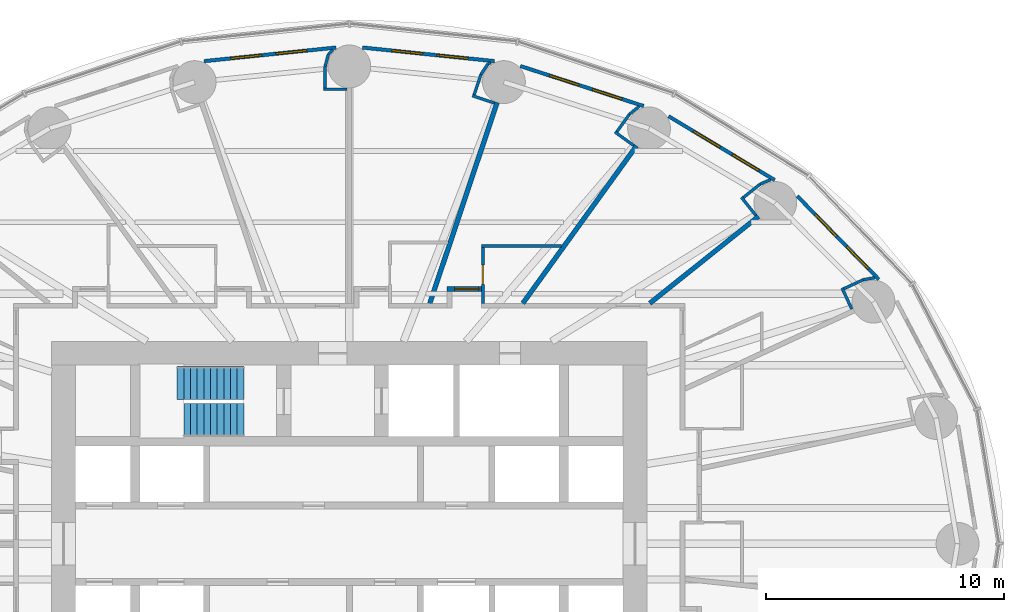
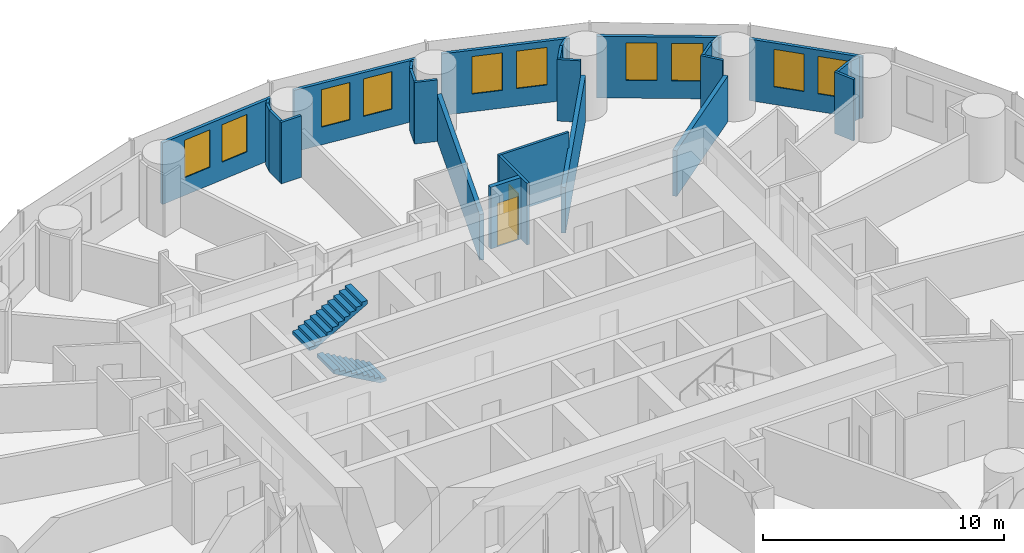
# One storey, part 12 of 14: 28 walls, 10 windows, 2 doors, 2 stair flights, 12 openings, 1 element without a shape of its own.
"""IFC4 building model written with IfcOpenShell, lengths in metres."""

from ifc_helpers import new_model, si_unit, direction, frame, frame_2d, origin, place, context, subcontext, project, spatial, polyline, rectangle, outline, extrude, material, layer, layer_set, type_object, element, fill, aggregate, save


model = new_model("IFC4")

# Units and contexts
model_context = context("Model", 3, precision=1e-05, world=origin(), true_north=direction((0.0, 1.0)))
body_context = subcontext(model_context, "Body", "Model", "MODEL_VIEW")
ifc_project = project(units=[si_unit("LENGTHUNIT", "METRE"), si_unit("AREAUNIT", "SQUARE_METRE"), si_unit("VOLUMEUNIT", "CUBIC_METRE"), si_unit("PLANEANGLEUNIT", "RADIAN"), si_unit("MASSUNIT", "GRAM", prefix="KILO")], contexts=[model_context])

# Site, building, storey
site_placement = place(None, origin())
site = spatial("IfcSite", under=ifc_project, at=site_placement, CompositionType="ELEMENT")
building_placement = place(site_placement, origin())
building = spatial("IfcBuilding", under=site, at=building_placement, Name="Hankou Lantern Tower", CompositionType="ELEMENT")
storey_placement = place(building_placement, frame((0.0, 0.0, 36.0)))
storey = spatial("IfcBuildingStorey", under=building, at=storey_placement, Name="L07", CompositionType="ELEMENT", Elevation=36.0)

# Wall, openings, windows
ifc_material_1 = material(Name="Aluminium spandrel panel on steel studs", Category="steel")
ifc_layer_1 = layer(ifc_material_1, 0.14990234375)
ifc_layer_set_1 = layer_set([ifc_layer_1], Name="Aluminium spandrel panel on steel studs")
wall_type_1 = type_object("IfcWallType", Name="EW1 INNER SKIN WALL 150", PredefinedType="ELEMENTEDWALL", material=ifc_layer_set_1)
wall_1_placement = place(storey_placement, frame((22.23876953125, 11.1083984375, 0.0), z_axis=(0.0, 0.0, 1.0), x_axis=(-0.699612594083, 0.714522370679, 0.0)))
wall_1 = element("IfcWall", 1, at=wall_1_placement, inside=storey, type_object=wall_type_1, Name="Inner skin R03-R04 L07", PredefinedType="ELEMENTEDWALL", context=body_context, shape_type="SweptSolid", body=[
    extrude(rectangle(XDim=4.89599609375, YDim=0.14990234375, at=frame_2d((2.447998046875, 0.0))), origin(), (0.0, 0.0, 1.0), 3.1201171875),
])
opening_1_placement = place(wall_1_placement, frame((0.619140625, 0.0, 0.89990234375)))
opening_1 = element("IfcOpeningElement", 2, at=opening_1_placement, cuts=wall_1, Name="Opening W9", PredefinedType="OPENING", context=body_context, shape_type="SweptSolid", body=[
    extrude(rectangle(XDim=1.300048828125, YDim=1.89990234375, at=frame_2d((0.64990234375, 0.949951171875))), frame((0.0, 0.0849609375, 0.0), z_axis=(0.0, -1.0, 0.0), x_axis=(1.0, 0.0, 0.0)), (0.0, 0.0, 1.0), 0.169921875),
])
opening_2_placement = place(wall_1_placement, frame((2.51904296875, 0.0, 0.89990234375)))
opening_2 = element("IfcOpeningElement", 3, at=opening_2_placement, cuts=wall_1, Name="Opening W9", PredefinedType="OPENING", context=body_context, shape_type="SweptSolid", body=[
    extrude(rectangle(XDim=1.300048828125, YDim=1.89990234375, at=frame_2d((0.64990234375, 0.949951171875))), frame((0.0, 0.0849609375, 0.0), z_axis=(0.0, -1.0, 0.0), x_axis=(1.0, 0.0, 0.0)), (0.0, 0.0, 1.0), 0.169921875),
])
ifc_material_2 = material(Name="Aluminium framed double glazed window", Category="aluminium")
window_type = type_object("IfcWindowType", Name="W9 GUEST ROOM WINDOW 1300X1900", PartitioningType="DOUBLE_PANEL_VERTICAL", PredefinedType="WINDOW", material=ifc_material_2)
window_1_placement = place(opening_1_placement, origin())
window_1 = element("IfcWindow", 4, at=window_1_placement, inside=storey, type_object=window_type, Name="Window R03.1 L07", OverallHeight=1.89990234375, OverallWidth=1.300048828125, PartitioningType="SINGLE_PANEL", PredefinedType="WINDOW", context=body_context, shape_type="SweptSolid", body=[
    extrude(rectangle(XDim=1.300048828125, YDim=1.89990234375, at=frame_2d((0.64990234375, 0.949951171875))), frame((0.0, 0.030029296875, 0.0), z_axis=(0.0, -1.0, 0.0), x_axis=(1.0, 0.0, 0.0)), (0.0, 0.0, 1.0), 0.06005859375),
])
fill(opening_1, window_1)
window_2_placement = place(opening_2_placement, origin())
window_2 = element("IfcWindow", 5, at=window_2_placement, inside=storey, type_object=window_type, Name="Window R03.2 L07", OverallHeight=1.89990234375, OverallWidth=1.300048828125, PartitioningType="SINGLE_PANEL", PredefinedType="WINDOW", context=body_context, shape_type="SweptSolid", body=[
    extrude(rectangle(XDim=1.300048828125, YDim=1.89990234375, at=frame_2d((0.64990234375, 0.949951171875))), frame((0.0, 0.030029296875, 0.0), z_axis=(0.0, -1.0, 0.0), x_axis=(1.0, 0.0, 0.0)), (0.0, 0.0, 1.0), 0.06005859375),
])
fill(opening_2, window_2)

wall_2_placement = place(storey_placement, frame((17.869384765625, 15.276611328125, 0.0), z_axis=(0.0, 0.0, 1.0), x_axis=(-0.856958191554, 0.515385931054, 0.0)))
wall_2 = element("IfcWall", 6, at=wall_2_placement, inside=storey, type_object=wall_type_1, Name="Inner skin R04-R05 L07", PredefinedType="ELEMENTEDWALL", context=body_context, shape_type="SweptSolid", body=[
    extrude(rectangle(XDim=5.201171875, YDim=0.14990234375, at=frame_2d((2.6005859375, 0.0))), origin(), (0.0, 0.0, 1.0), 3.1201171875),
])
opening_3_placement = place(wall_2_placement, frame((0.7763671875, 0.0, 0.89990234375)))
opening_3 = element("IfcOpeningElement", 7, at=opening_3_placement, cuts=wall_2, Name="Opening W9", PredefinedType="OPENING", context=body_context, shape_type="SweptSolid", body=[
    extrude(rectangle(XDim=1.300048828125, YDim=1.89990234375, at=frame_2d((0.64990234375, 0.949951171875))), frame((0.0, 0.0849609375, 0.0), z_axis=(0.0, -1.0, 0.0), x_axis=(1.0, 0.0, 0.0)), (0.0, 0.0, 1.0), 0.169921875),
])
opening_4_placement = place(wall_2_placement, frame((2.67626953125, 0.0, 0.89990234375)))
opening_4 = element("IfcOpeningElement", 8, at=opening_4_placement, cuts=wall_2, Name="Opening W9", PredefinedType="OPENING", context=body_context, shape_type="SweptSolid", body=[
    extrude(rectangle(XDim=1.300048828125, YDim=1.89990234375, at=frame_2d((0.64990234375, 0.949951171875))), frame((0.0, 0.0849609375, 0.0), z_axis=(0.0, -1.0, 0.0), x_axis=(1.0, 0.0, 0.0)), (0.0, 0.0, 1.0), 0.169921875),
])
window_3_placement = place(opening_3_placement, origin())
window_3 = element("IfcWindow", 9, at=window_3_placement, inside=storey, type_object=window_type, Name="Window R04.1 L07", OverallHeight=1.89990234375, OverallWidth=1.300048828125, PartitioningType="SINGLE_PANEL", PredefinedType="WINDOW", context=body_context, shape_type="SweptSolid", body=[
    extrude(rectangle(XDim=1.300048828125, YDim=1.89990234375, at=frame_2d((0.64990234375, 0.949951171875))), frame((0.0, 0.030029296875, 0.0), z_axis=(0.0, -1.0, 0.0), x_axis=(1.0, 0.0, 0.0)), (0.0, 0.0, 1.0), 0.06005859375),
])
fill(opening_3, window_3)
window_4_placement = place(opening_4_placement, origin())
window_4 = element("IfcWindow", 10, at=window_4_placement, inside=storey, type_object=window_type, Name="Window R04.2 L07", OverallHeight=1.89990234375, OverallWidth=1.300048828125, PartitioningType="SINGLE_PANEL", PredefinedType="WINDOW", context=body_context, shape_type="SweptSolid", body=[
    extrude(rectangle(XDim=1.300048828125, YDim=1.89990234375, at=frame_2d((0.64990234375, 0.949951171875))), frame((0.0, 0.030029296875, 0.0), z_axis=(0.0, -1.0, 0.0), x_axis=(1.0, 0.0, 0.0)), (0.0, 0.0, 1.0), 0.06005859375),
])
fill(opening_4, window_4)

wall_3_placement = place(storey_placement, frame((12.3662109375, 18.384033203125, 0.0), z_axis=(0.0, 0.0, 1.0), x_axis=(-0.951138486029, 0.308764603532, 0.0)))
wall_3 = element("IfcWall", 11, at=wall_3_placement, inside=storey, type_object=wall_type_1, Name="Inner skin R05-R06 L07", PredefinedType="ELEMENTEDWALL", context=body_context, shape_type="SweptSolid", body=[
    extrude(rectangle(XDim=5.444091796875, YDim=0.14990234375, at=frame_2d((2.72216796875, 0.0))), origin(), (0.0, 0.0, 1.0), 3.1201171875),
])
opening_5_placement = place(wall_3_placement, frame((0.959716796875, 0.0, 0.89990234375)))
opening_5 = element("IfcOpeningElement", 12, at=opening_5_placement, cuts=wall_3, Name="Opening W9", PredefinedType="OPENING", context=body_context, shape_type="SweptSolid", body=[
    extrude(rectangle(XDim=1.300048828125, YDim=1.89990234375, at=frame_2d((0.64990234375, 0.949951171875))), frame((0.0, 0.0849609375, 0.0), z_axis=(0.0, -1.0, 0.0), x_axis=(1.0, 0.0, 0.0)), (0.0, 0.0, 1.0), 0.169921875),
])
opening_6_placement = place(wall_3_placement, frame((2.85986328125, 0.0, 0.89990234375)))
opening_6 = element("IfcOpeningElement", 13, at=opening_6_placement, cuts=wall_3, Name="Opening W9", PredefinedType="OPENING", context=body_context, shape_type="SweptSolid", body=[
    extrude(rectangle(XDim=1.300048828125, YDim=1.89990234375, at=frame_2d((0.64990234375, 0.949951171875))), frame((0.0, 0.0849609375, 0.0), z_axis=(0.0, -1.0, 0.0), x_axis=(1.0, 0.0, 0.0)), (0.0, 0.0, 1.0), 0.169921875),
])
window_5_placement = place(opening_5_placement, origin())
window_5 = element("IfcWindow", 14, at=window_5_placement, inside=storey, type_object=window_type, Name="Window R05.1 L07", OverallHeight=1.89990234375, OverallWidth=1.300048828125, PartitioningType="SINGLE_PANEL", PredefinedType="WINDOW", context=body_context, shape_type="SweptSolid", body=[
    extrude(rectangle(XDim=1.300048828125, YDim=1.89990234375, at=frame_2d((0.64990234375, 0.949951171875))), frame((0.0, 0.030029296875, 0.0), z_axis=(0.0, -1.0, 0.0), x_axis=(1.0, 0.0, 0.0)), (0.0, 0.0, 1.0), 0.06005859375),
])
fill(opening_5, window_5)
window_6_placement = place(opening_6_placement, origin())
window_6 = element("IfcWindow", 15, at=window_6_placement, inside=storey, type_object=window_type, Name="Window R05.2 L07", OverallHeight=1.89990234375, OverallWidth=1.300048828125, PartitioningType="SINGLE_PANEL", PredefinedType="WINDOW", context=body_context, shape_type="SweptSolid", body=[
    extrude(rectangle(XDim=1.300048828125, YDim=1.89990234375, at=frame_2d((0.64990234375, 0.949951171875))), frame((0.0, 0.030029296875, 0.0), z_axis=(0.0, -1.0, 0.0), x_axis=(1.0, 0.0, 0.0)), (0.0, 0.0, 1.0), 0.06005859375),
])
fill(opening_6, window_6)

wall_4_placement = place(storey_placement, frame((6.09765625, 20.27099609375, 0.0), z_axis=(0.0, 0.0, 1.0), x_axis=(-0.994723735084, 0.102589915983, 0.0)))
wall_4 = element("IfcWall", 16, at=wall_4_placement, inside=storey, type_object=wall_type_1, Name="Inner skin R06-R07 L07", PredefinedType="ELEMENTEDWALL", context=body_context, shape_type="SweptSolid", body=[
    extrude(rectangle(XDim=5.575927734375, YDim=0.14990234375, at=frame_2d((2.7880859375, 0.0))), origin(), (0.0, 0.0, 1.0), 3.1201171875),
])
opening_7_placement = place(wall_4_placement, frame((1.128662109375, 0.0, 0.89990234375)))
opening_7 = element("IfcOpeningElement", 17, at=opening_7_placement, cuts=wall_4, Name="Opening W9", PredefinedType="OPENING", context=body_context, shape_type="SweptSolid", body=[
    extrude(rectangle(XDim=1.300048828125, YDim=1.89990234375, at=frame_2d((0.64990234375, 0.949951171875))), frame((0.0, 0.0849609375, 0.0), z_axis=(0.0, -1.0, 0.0), x_axis=(1.0, 0.0, 0.0)), (0.0, 0.0, 1.0), 0.169921875),
])
opening_8_placement = place(wall_4_placement, frame((3.02880859375, 0.0, 0.89990234375)))
opening_8 = element("IfcOpeningElement", 18, at=opening_8_placement, cuts=wall_4, Name="Opening W9", PredefinedType="OPENING", context=body_context, shape_type="SweptSolid", body=[
    extrude(rectangle(XDim=1.300048828125, YDim=1.89990234375, at=frame_2d((0.64990234375, 0.949951171875))), frame((0.0, 0.0849609375, 0.0), z_axis=(0.0, -1.0, 0.0), x_axis=(1.0, 0.0, 0.0)), (0.0, 0.0, 1.0), 0.169921875),
])
window_7_placement = place(opening_7_placement, origin())
window_7 = element("IfcWindow", 19, at=window_7_placement, inside=storey, type_object=window_type, Name="Window R06.1 L07", OverallHeight=1.89990234375, OverallWidth=1.300048828125, PartitioningType="SINGLE_PANEL", PredefinedType="WINDOW", context=body_context, shape_type="SweptSolid", body=[
    extrude(rectangle(XDim=1.300048828125, YDim=1.89990234375, at=frame_2d((0.64990234375, 0.949951171875))), frame((0.0, 0.030029296875, 0.0), z_axis=(0.0, -1.0, 0.0), x_axis=(1.0, 0.0, 0.0)), (0.0, 0.0, 1.0), 0.06005859375),
])
fill(opening_7, window_7)
window_8_placement = place(opening_8_placement, origin())
window_8 = element("IfcWindow", 20, at=window_8_placement, inside=storey, type_object=window_type, Name="Window R06.2 L07", OverallHeight=1.89990234375, OverallWidth=1.300048828125, PartitioningType="SINGLE_PANEL", PredefinedType="WINDOW", context=body_context, shape_type="SweptSolid", body=[
    extrude(rectangle(XDim=1.300048828125, YDim=1.89990234375, at=frame_2d((0.64990234375, 0.949951171875))), frame((0.0, 0.030029296875, 0.0), z_axis=(0.0, -1.0, 0.0), x_axis=(1.0, 0.0, 0.0)), (0.0, 0.0, 1.0), 0.06005859375),
])
fill(opening_8, window_8)

wall_5_placement = place(storey_placement, frame((-0.55126953125, 20.843017578125, 0.0), z_axis=(0.0, 0.0, 1.0), x_axis=(-0.994723735084, -0.102589915983, 0.0)))
wall_5 = element("IfcWall", 21, at=wall_5_placement, inside=storey, type_object=wall_type_1, Name="Inner skin R07-R08 L07", PredefinedType="ELEMENTEDWALL", context=body_context, shape_type="SweptSolid", body=[
    extrude(rectangle(XDim=5.575927734375, YDim=0.14990234375, at=frame_2d((2.7880859375, 0.0))), origin(), (0.0, 0.0, 1.0), 3.1201171875),
])
opening_9_placement = place(wall_5_placement, frame((1.246826171875, 0.0, 0.89990234375)))
opening_9 = element("IfcOpeningElement", 22, at=opening_9_placement, cuts=wall_5, Name="Opening W9", PredefinedType="OPENING", context=body_context, shape_type="SweptSolid", body=[
    extrude(rectangle(XDim=1.300048828125, YDim=1.89990234375, at=frame_2d((0.64990234375, 0.949951171875))), frame((0.0, 0.0849609375, 0.0), z_axis=(0.0, -1.0, 0.0), x_axis=(1.0, 0.0, 0.0)), (0.0, 0.0, 1.0), 0.169921875),
])
opening_10_placement = place(wall_5_placement, frame((3.146728515625, 0.0, 0.89990234375)))
opening_10 = element("IfcOpeningElement", 23, at=opening_10_placement, cuts=wall_5, Name="Opening W9", PredefinedType="OPENING", context=body_context, shape_type="SweptSolid", body=[
    extrude(rectangle(XDim=1.300048828125, YDim=1.89990234375, at=frame_2d((0.64990234375, 0.949951171875))), frame((0.0, 0.0849609375, 0.0), z_axis=(0.0, -1.0, 0.0), x_axis=(1.0, 0.0, 0.0)), (0.0, 0.0, 1.0), 0.169921875),
])
window_9_placement = place(opening_9_placement, origin())
window_9 = element("IfcWindow", 24, at=window_9_placement, inside=storey, type_object=window_type, Name="Window R07.1 L07", OverallHeight=1.89990234375, OverallWidth=1.300048828125, PartitioningType="SINGLE_PANEL", PredefinedType="WINDOW", context=body_context, shape_type="SweptSolid", body=[
    extrude(rectangle(XDim=1.300048828125, YDim=1.89990234375, at=frame_2d((0.64990234375, 0.949951171875))), frame((0.0, 0.030029296875, 0.0), z_axis=(0.0, -1.0, 0.0), x_axis=(1.0, 0.0, 0.0)), (0.0, 0.0, 1.0), 0.06005859375),
])
fill(opening_9, window_9)
window_10_placement = place(opening_10_placement, origin())
window_10 = element("IfcWindow", 25, at=window_10_placement, inside=storey, type_object=window_type, Name="Window R07.2 L07", OverallHeight=1.89990234375, OverallWidth=1.300048828125, PartitioningType="SINGLE_PANEL", PredefinedType="WINDOW", context=body_context, shape_type="SweptSolid", body=[
    extrude(rectangle(XDim=1.300048828125, YDim=1.89990234375, at=frame_2d((0.64990234375, 0.949951171875))), frame((0.0, 0.030029296875, 0.0), z_axis=(0.0, -1.0, 0.0), x_axis=(1.0, 0.0, 0.0)), (0.0, 0.0, 1.0), 0.06005859375),
])
fill(opening_10, window_10)

# Wall
ifc_material_3 = material(Name="Masonry lightweight concrete block", Category="masonry")
ifc_layer_2 = layer(ifc_material_3, 0.199951171875)
ifc_layer_set_2 = layer_set([ifc_layer_2], Name="Masonry lightweight concrete block")
wall_type_2 = type_object("IfcWallType", Name="IW1 GUEST ROOM PARTY WALL 200", PredefinedType="PARTITIONING", material=ifc_layer_set_2)
wall_6_placement = place(storey_placement, frame((3.3828125, 10.10009765625, 0.0), z_axis=(0.0, 0.0, 1.0), x_axis=(0.317593727596, 0.948226884344, 0.0)))
element("IfcWall", 26, at=wall_6_placement, inside=storey, type_object=wall_type_2, Name="Party wall R06", PredefinedType="PARTITIONING", context=body_context, shape_type="SweptSolid", body=[
    extrude(rectangle(XDim=8.898681640625, YDim=0.199951171875, at=frame_2d((4.44921875, 0.0))), origin(), (0.0, 0.0, 1.0), 2.320068359375),
])

# Wall, opening, door
ifc_material_4 = material(Name="Masonry lightweight concrete block", Category="masonry")
ifc_layer_3 = layer(ifc_material_4, 0.199951171875)
ifc_layer_set_3 = layer_set([ifc_layer_3], Name="Masonry lightweight concrete block")
wall_type_3 = type_object("IfcWallType", Name="IW2 CORRIDOR WALL 200", PredefinedType="PARTITIONING", material=ifc_layer_set_3)
wall_7_placement = place(storey_placement, frame((4.109130859375, 10.699951171875, 0.0), z_axis=(0.0, 0.0, 1.0), x_axis=(1.0, 0.0, 0.0)))
wall_7 = element("IfcWall", 27, at=wall_7_placement, inside=storey, type_object=wall_type_3, Name="Corridor recess wall 0707 back", PredefinedType="PARTITIONING", context=body_context, shape_type="SweptSolid", body=[
    extrude(rectangle(XDim=1.43994140625, YDim=0.199951171875, at=frame_2d((0.719970703125, 0.0))), origin(), (0.0, 0.0, 1.0), 3.1201171875),
])
opening_11_placement = place(wall_7_placement, frame((0.320068359375, 0.0, 0.0)))
opening_11 = element("IfcOpeningElement", 28, at=opening_11_placement, cuts=wall_7, Name="Opening D1", PredefinedType="OPENING", context=body_context, shape_type="SweptSolid", body=[
    extrude(rectangle(XDim=1.0, YDim=2.199951171875, at=frame_2d((0.5, 1.10009765625))), frame((0.0, 0.10986328125, 0.0), z_axis=(0.0, -1.0, 0.0), x_axis=(1.0, 0.0, 0.0)), (0.0, 0.0, 1.0), 0.219970703125),
])
ifc_material_5 = material(Name="Steel door leaf", Category="steel")
door_type_1 = type_object("IfcDoorType", Name="D1 GUEST ROOM DOOR 1000X2200", OperationType="SINGLE_SWING_LEFT", PredefinedType="DOOR", material=ifc_material_5)
door_1_placement = place(opening_11_placement, origin())
door_1 = element("IfcDoor", 29, at=door_1_placement, inside=storey, type_object=door_type_1, Name="Guest room door 0707", OperationType="SINGLE_SWING_RIGHT", OverallHeight=2.199951171875, OverallWidth=1.0, PredefinedType="DOOR", context=body_context, shape_type="SweptSolid", body=[
    extrude(rectangle(XDim=1.0, YDim=2.199951171875, at=frame_2d((0.5, 1.10009765625))), frame((0.0, 0.02490234375, 0.0), z_axis=(0.0, -1.0, 0.0), x_axis=(1.0, 0.0, 0.0)), (0.0, 0.0, 1.0), 0.050048828125),
])
fill(opening_11, door_1)

# Wall
ifc_material_6 = material(Name="Masonry lightweight concrete block", Category="masonry")
ifc_layer_4 = layer(ifc_material_6, 0.1201171875)
ifc_layer_set_4 = layer_set([ifc_layer_4], Name="Masonry lightweight concrete block")
wall_type_4 = type_object("IfcWallType", Name="IW3 BATHROOM WALL 120", PredefinedType="PARTITIONING", material=ifc_layer_set_4)
wall_8_placement = place(storey_placement, frame((8.921142578125, 12.5, 0.0), z_axis=(0.0, 0.0, 1.0), x_axis=(-1.0, 0.0, 0.0)))
element("IfcWall", 30, at=wall_8_placement, inside=storey, type_object=wall_type_4, Name="Box wall 0707 1", PredefinedType="PARTITIONING", context=body_context, shape_type="SweptSolid", body=[
    extrude(rectangle(XDim=3.3720703125, YDim=0.1201171875, at=frame_2d((1.68603515625, 0.0))), origin(), (0.0, 0.0, 1.0), 3.1201171875),
])

# Wall, opening, door
wall_9_placement = place(storey_placement, frame((5.609130859375, 10.10009765625, 0.0), z_axis=(0.0, 0.0, 1.0), x_axis=(0.0, 1.0, 0.0)))
wall_9 = element("IfcWall", 31, at=wall_9_placement, inside=storey, type_object=wall_type_4, Name="Box wall 0707 1", PredefinedType="PARTITIONING", context=body_context, shape_type="SweptSolid", body=[
    extrude(rectangle(XDim=2.33984375, YDim=0.1201171875, at=frame_2d((1.169921875, 0.0))), origin(), (0.0, 0.0, 1.0), 3.1201171875),
])
opening_12_placement = place(wall_9_placement, frame((0.800048828125, 0.0, 0.0)))
opening_12 = element("IfcOpeningElement", 32, at=opening_12_placement, cuts=wall_9, Name="Opening D3", PredefinedType="OPENING", context=body_context, shape_type="SweptSolid", body=[
    extrude(rectangle(XDim=0.800048828125, YDim=2.10009765625, at=frame_2d((0.39990234375, 1.050048828125))), frame((0.0, 0.070068359375, 0.0), z_axis=(0.0, -1.0, 0.0), x_axis=(1.0, 0.0, 0.0)), (0.0, 0.0, 1.0), 0.14013671875),
])
ifc_material_7 = material(Name="Timber door leaf", Category="wood")
door_type_2 = type_object("IfcDoorType", Name="D3 BATHROOM DOOR 800X2100", OperationType="SINGLE_SWING_LEFT", PredefinedType="DOOR", material=ifc_material_7)
door_2_placement = place(opening_12_placement, origin())
door_2 = element("IfcDoor", 33, at=door_2_placement, inside=storey, type_object=door_type_2, Name="En-suite bathroom 0707 door", OperationType="SINGLE_SWING_LEFT", OverallHeight=2.10009765625, OverallWidth=0.800048828125, PredefinedType="DOOR", context=body_context, shape_type="SweptSolid", body=[
    extrude(rectangle(XDim=0.800048828125, YDim=2.10009765625, at=frame_2d((0.39990234375, 1.050048828125))), frame((0.0, 0.02490234375, 0.0), z_axis=(0.0, -1.0, 0.0), x_axis=(1.0, 0.0, 0.0)), (0.0, 0.0, 1.0), 0.050048828125),
])
fill(opening_12, door_2)

# Walls
ifc_material_8 = material(Name="Masonry lightweight concrete block", Category="masonry")
ifc_layer_5 = layer(ifc_material_8, 0.1201171875)
ifc_layer_set_5 = layer_set([ifc_layer_5], Name="Masonry lightweight concrete block")
wall_type_5 = type_object("IfcWallType", Name="IW4 PARTITION 120", PredefinedType="PARTITIONING", material=ifc_layer_set_5)
wall_10_placement = place(storey_placement, frame((21.105712890625, 9.8583984375, 0.0), z_axis=(0.0, 0.0, 1.0), x_axis=(-0.419344098106, 0.907827366509, 0.0)))
element("IfcWall", 34, at=wall_10_placement, inside=storey, type_object=wall_type_5, Name="Column casing R03 return", PredefinedType="PARTITIONING", context=body_context, shape_type="SweptSolid", body=[
    extrude(rectangle(XDim=0.974609375, YDim=0.1201171875, at=frame_2d((0.4873046875, 0.0))), origin(), (0.0, 0.0, 1.0), 3.1201171875),
])
wall_11_placement = place(storey_placement, frame((20.776611328125, 10.7138671875, 0.0), z_axis=(0.0, 0.0, 1.0), x_axis=(0.907832324198, 0.419333365166, 0.0)))
element("IfcWall", 35, at=wall_11_placement, inside=storey, type_object=wall_type_5, Name="Column casing R03", PredefinedType="PARTITIONING", context=body_context, shape_type="SweptSolid", body=[
    extrude(rectangle(XDim=0.900146484375, YDim=0.1201171875, at=frame_2d((0.4501953125, 0.0))), origin(), (0.0, 0.0, 1.0), 3.1201171875),
])
wall_12_placement = place(storey_placement, frame((21.59375, 11.09130859375, 0.0), z_axis=(0.0, 0.0, 1.0), x_axis=(0.985483306792, 0.169772353566, 0.0)))
element("IfcWall", 36, at=wall_12_placement, inside=storey, type_object=wall_type_5, Name="Column casing R03", PredefinedType="PARTITIONING", context=body_context, shape_type="SweptSolid", body=[
    extrude(rectangle(XDim=0.486083984375, YDim=0.1201171875, at=frame_2d((0.2431640625, 0.0))), origin(), (0.0, 0.0, 1.0), 3.1201171875),
])
wall_13_placement = place(storey_placement, frame((17.07958984375, 13.791748046875, 0.0), z_axis=(0.0, 0.0, 1.0), x_axis=(-0.624756144097, 0.780819928289, 0.0)))
element("IfcWall", 37, at=wall_13_placement, inside=storey, type_object=wall_type_5, Name="Column casing R04 return", PredefinedType="PARTITIONING", context=body_context, shape_type="SweptSolid", body=[
    extrude(rectangle(XDim=0.974609375, YDim=0.1201171875, at=frame_2d((0.4873046875, 0.0))), origin(), (0.0, 0.0, 1.0), 3.1201171875),
])
wall_14_placement = place(storey_placement, frame((16.55517578125, 14.54345703125, 0.0), z_axis=(0.0, 0.0, 1.0), x_axis=(0.780789399477, 0.62479429708, 0.0)))
element("IfcWall", 38, at=wall_14_placement, inside=storey, type_object=wall_type_5, Name="Column casing R04", PredefinedType="PARTITIONING", context=body_context, shape_type="SweptSolid", body=[
    extrude(rectangle(XDim=0.89990234375, YDim=0.1201171875, at=frame_2d((0.449951171875, 0.0))), origin(), (0.0, 0.0, 1.0), 3.1201171875),
])
wall_15_placement = place(storey_placement, frame((17.2578125, 15.105712890625, 0.0), z_axis=(0.0, 0.0, 1.0), x_axis=(0.916098562583, 0.400953143937, 0.0)))
element("IfcWall", 39, at=wall_15_placement, inside=storey, type_object=wall_type_5, Name="Column casing R04", PredefinedType="PARTITIONING", context=body_context, shape_type="SweptSolid", body=[
    extrude(rectangle(XDim=0.476806640625, YDim=0.1201171875, at=frame_2d((0.23828125, 0.0))), origin(), (0.0, 0.0, 1.0), 3.1201171875),
])
wall_16_placement = place(storey_placement, frame((11.947998046875, 16.7265625, 0.0), z_axis=(0.0, 0.0, 1.0), x_axis=(-0.810897160646, 0.585188683123, 0.0)))
element("IfcWall", 40, at=wall_16_placement, inside=storey, type_object=wall_type_5, Name="Column casing R05 return", PredefinedType="PARTITIONING", context=body_context, shape_type="SweptSolid", body=[
    extrude(rectangle(XDim=0.974609375, YDim=0.1201171875, at=frame_2d((0.4873046875, 0.0))), origin(), (0.0, 0.0, 1.0), 3.1201171875),
])
wall_17_placement = place(storey_placement, frame((11.241455078125, 17.310302734375, 0.0), z_axis=(0.0, 0.0, 1.0), x_axis=(0.585054732094, 0.810993810367, 0.0)))
element("IfcWall", 41, at=wall_17_placement, inside=storey, type_object=wall_type_5, Name="Column casing R05", PredefinedType="PARTITIONING", context=body_context, shape_type="SweptSolid", body=[
    extrude(rectangle(XDim=0.900146484375, YDim=0.1201171875, at=frame_2d((0.4501953125, 0.0))), origin(), (0.0, 0.0, 1.0), 3.1201171875),
])
wall_18_placement = place(storey_placement, frame((11.76806640625, 18.040283203125, 0.0), z_axis=(0.0, 0.0, 1.0), x_axis=(0.775268927517, 0.631631292787, 0.0)))
element("IfcWall", 42, at=wall_18_placement, inside=storey, type_object=wall_type_5, Name="Column casing R05", PredefinedType="PARTITIONING", context=body_context, shape_type="SweptSolid", body=[
    extrude(rectangle(XDim=0.521728515625, YDim=0.1201171875, at=frame_2d((0.2607421875, 0.0))), origin(), (0.0, 0.0, 1.0), 3.1201171875),
])
wall_19_placement = place(storey_placement, frame((6.09521484375, 18.512939453125, 0.0), z_axis=(0.0, 0.0, 1.0), x_axis=(-0.948281677008, 0.317430088446, 0.0)))
element("IfcWall", 43, at=wall_19_placement, inside=storey, type_object=wall_type_5, Name="Column casing R06 return", PredefinedType="PARTITIONING", context=body_context, shape_type="SweptSolid", body=[
    extrude(rectangle(XDim=0.974365234375, YDim=0.1201171875, at=frame_2d((0.4873046875, 0.0))), origin(), (0.0, 0.0, 1.0), 3.1201171875),
])
wall_20_placement = place(storey_placement, frame((5.2470703125, 18.860107421875, 0.0), z_axis=(0.0, 0.0, 1.0), x_axis=(0.317610704489, 0.94822119803, 0.0)))
element("IfcWall", 44, at=wall_20_placement, inside=storey, type_object=wall_type_5, Name="Column casing R06", PredefinedType="PARTITIONING", context=body_context, shape_type="SweptSolid", body=[
    extrude(rectangle(XDim=0.900146484375, YDim=0.1201171875, at=frame_2d((0.4501953125, 0.0))), origin(), (0.0, 0.0, 1.0), 3.1201171875),
])
wall_21_placement = place(storey_placement, frame((5.532958984375, 19.713623046875, 0.0), z_axis=(0.0, 0.0, 1.0), x_axis=(0.552014331743, 0.833834622422, 0.0)))
element("IfcWall", 45, at=wall_21_placement, inside=storey, type_object=wall_type_5, Name="Column casing R06", PredefinedType="PARTITIONING", context=body_context, shape_type="SweptSolid", body=[
    extrude(rectangle(XDim=0.52490234375, YDim=0.1201171875, at=frame_2d((0.262451171875, 0.0))), origin(), (0.0, 0.0, 1.0), 3.1201171875),
])
wall_22_placement = place(storey_placement, frame((5.82275390625, 20.1513671875, 0.0), z_axis=(0.0, 0.0, 1.0), x_axis=(0.894784104941, 0.446499054362, 0.0)))
element("IfcWall", 46, at=wall_22_placement, inside=storey, type_object=wall_type_5, Name="Column casing R06", PredefinedType="PARTITIONING", context=body_context, shape_type="SweptSolid", body=[
    extrude(rectangle(XDim=0.13671875, YDim=0.1201171875, at=frame_2d((0.068359375, 0.0))), origin(), (0.0, 0.0, 1.0), 3.1201171875),
])
wall_23_placement = place(storey_placement, frame((-0.10009765625, 19.090087890625, 0.0), z_axis=(0.0, 0.0, 1.0), x_axis=(-1.0, 0.0, 0.0)))
element("IfcWall", 47, at=wall_23_placement, inside=storey, type_object=wall_type_5, Name="Column casing R07 return", PredefinedType="PARTITIONING", context=body_context, shape_type="SweptSolid", body=[
    extrude(rectangle(XDim=0.974365234375, YDim=0.1201171875, at=frame_2d((0.4873046875, 0.0))), origin(), (0.0, 0.0, 1.0), 3.1201171875),
])
wall_24_placement = place(storey_placement, frame((-1.0146484375, 19.14990234375, 0.0), z_axis=(0.0, 0.0, 1.0), x_axis=(0.0, 1.0, 0.0)))
element("IfcWall", 48, at=wall_24_placement, inside=storey, type_object=wall_type_5, Name="Column casing R07", PredefinedType="PARTITIONING", context=body_context, shape_type="SweptSolid", body=[
    extrude(rectangle(XDim=0.900146484375, YDim=0.1201171875, at=frame_2d((0.4501953125, 0.0))), origin(), (0.0, 0.0, 1.0), 3.1201171875),
])
wall_25_placement = place(storey_placement, frame((-1.0146484375, 20.050048828125, 0.0), z_axis=(0.0, 0.0, 1.0), x_axis=(0.258906465625, 0.96590239779, 0.0)))
element("IfcWall", 49, at=wall_25_placement, inside=storey, type_object=wall_type_5, Name="Column casing R07", PredefinedType="PARTITIONING", context=body_context, shape_type="SweptSolid", body=[
    extrude(rectangle(XDim=0.525146484375, YDim=0.1201171875, at=frame_2d((0.2626953125, 0.0))), origin(), (0.0, 0.0, 1.0), 3.1201171875),
])
wall_26_placement = place(storey_placement, frame((-0.878662109375, 20.557373046875, 0.0), z_axis=(0.0, 0.0, 1.0), x_axis=(0.707106781187, 0.707106781187, 0.0)))
element("IfcWall", 50, at=wall_26_placement, inside=storey, type_object=wall_type_5, Name="Column casing R07", PredefinedType="PARTITIONING", context=body_context, shape_type="SweptSolid", body=[
    extrude(rectangle(XDim=0.279052734375, YDim=0.1201171875, at=frame_2d((0.1396484375, 0.0))), origin(), (0.0, 0.0, 1.0), 3.1201171875),
])
ifc_material_9 = material(Name="Masonry lightweight concrete block", Category="masonry")
ifc_layer_6 = layer(ifc_material_9, 0.199951171875)
ifc_layer_set_6 = layer_set([ifc_layer_6], Name="Masonry lightweight concrete block")
wall_type_6 = type_object("IfcWallType", Name="IW8 PARTITION 200", PredefinedType="PARTITIONING", material=ifc_layer_set_6)
wall_27_placement = place(storey_placement, frame((12.625, 10.10009765625, 0.0), z_axis=(0.0, 0.0, 1.0), x_axis=(0.780872884676, 0.624689953479, 0.0)))
element("IfcWall", 51, at=wall_27_placement, inside=storey, type_object=wall_type_6, Name="Partition R04", PredefinedType="PARTITIONING", context=body_context, shape_type="SweptSolid", body=[
    extrude(rectangle(XDim=5.8447265625, YDim=0.199951171875, at=frame_2d((2.92236328125, 0.0))), origin(), (0.0, 0.0, 1.0), 2.320068359375),
])
wall_28_placement = place(storey_placement, frame((7.2890625, 10.10009765625, 0.0), z_axis=(0.0, 0.0, 1.0), x_axis=(0.585216319319, 0.810877216108, 0.0)))
element("IfcWall", 52, at=wall_28_placement, inside=storey, type_object=wall_type_6, Name="Partition R05", PredefinedType="PARTITIONING", context=body_context, shape_type="SweptSolid", body=[
    extrude(rectangle(XDim=8.15966796875, YDim=0.199951171875, at=frame_2d((4.079833984375, 0.0))), origin(), (0.0, 0.0, 1.0), 2.320068359375),
])

# Stair, stair flights
ifc_material_10 = material(Name="Concrete C40", Category="concrete")
stair_type = type_object("IfcStairType", Name="ST33 CORE STAIR 3300 RISE", PredefinedType="HALF_TURN_STAIR", material=ifc_material_10)
stair_placement = place(storey_placement, origin())
stair = element("IfcStair", 53, at=stair_placement, inside=storey, type_object=stair_type, Name="Stair STA L07", PredefinedType="HALF_TURN_STAIR")
ifc_material_11 = material(Name="Concrete C40", Category="concrete")
stair_flight_type_1 = type_object("IfcStairFlightType", Name="CF10 CORE STAIR FLIGHT 1400 X 10 RISERS", PredefinedType="STRAIGHT", material=ifc_material_11)
stair_flight_1_placement = place(storey_placement, frame((-4.429931640625, 5.199951171875, 0.0), z_axis=(0.0, 0.0, 1.0), x_axis=(-1.0, 0.0, 0.0)))
stair_flight_1 = element("IfcStairFlight", 54, at=stair_flight_1_placement, type_object=stair_flight_type_1, Name="STA flight 1", NumberOfRisers=10, NumberOfTreads=9, PredefinedType="STRAIGHT", RiserHeight=0.157142857, TreadLength=0.28, context=body_context, shape_type="SweptSolid", body=[
    extrude(outline(polyline([(0.0, 0.0), (0.0, 0.1572265625), (0.280029296875, 0.1572265625), (0.280029296875, 0.314208984375), (0.56005859375, 0.314208984375), (0.56005859375, 0.471435546875), (0.840087890625, 0.471435546875), (0.840087890625, 0.628662109375), (1.1201171875, 0.628662109375), (1.1201171875, 0.78564453125), (1.39990234375, 0.78564453125), (1.39990234375, 0.94287109375), (1.679931640625, 0.94287109375), (1.679931640625, 1.10009765625), (1.9599609375, 1.10009765625), (1.9599609375, 1.257080078125), (2.239990234375, 1.257080078125), (2.239990234375, 1.414306640625), (2.52001953125, 1.414306640625), (2.52001953125, 1.571533203125), (2.52001953125, 1.242431640625), (0.306396484375, 0.0), (0.0, 0.0)])), frame((0.0, 0.699951171875, 0.0), z_axis=(0.0, -1.0, 0.0), x_axis=(1.0, 0.0, 0.0)), (0.0, 0.0, 1.0), 1.39990234375),
])
ifc_material_12 = material(Name="Concrete C40", Category="concrete")
stair_flight_type_2 = type_object("IfcStairFlightType", Name="CF11 CORE STAIR FLIGHT 1400 X 11 RISERS", PredefinedType="STRAIGHT", material=ifc_material_12)
stair_flight_2_placement = place(storey_placement, frame((-7.22998046875, 6.75, 1.571533203125), z_axis=(0.0, 0.0, 1.0), x_axis=(1.0, 0.0, 0.0)))
stair_flight_2 = element("IfcStairFlight", 55, at=stair_flight_2_placement, type_object=stair_flight_type_2, Name="STA flight 2", NumberOfRisers=11, NumberOfTreads=10, PredefinedType="STRAIGHT", RiserHeight=0.157142857, TreadLength=0.28, context=body_context, shape_type="SweptSolid", body=[
    extrude(outline(polyline([(0.0, 0.0), (0.0, 0.1572265625), (0.280029296875, 0.1572265625), (0.280029296875, 0.314208984375), (0.56005859375, 0.314208984375), (0.56005859375, 0.471435546875), (0.840087890625, 0.471435546875), (0.840087890625, 0.628662109375), (1.1201171875, 0.628662109375), (1.1201171875, 0.78564453125), (1.39990234375, 0.78564453125), (1.39990234375, 0.94287109375), (1.679931640625, 0.94287109375), (1.679931640625, 1.10009765625), (1.9599609375, 1.10009765625), (1.9599609375, 1.257080078125), (2.239990234375, 1.257080078125), (2.239990234375, 1.414306640625), (2.52001953125, 1.414306640625), (2.52001953125, 1.571533203125), (2.800048828125, 1.571533203125), (2.800048828125, 1.728515625), (2.800048828125, 1.3994140625), (0.306396484375, 0.0), (0.0, 0.0)])), frame((0.0, 0.699951171875, 0.0), z_axis=(0.0, -1.0, 0.0), x_axis=(1.0, 0.0, 0.0)), (0.0, 0.0, 1.0), 1.39990234375),
])
aggregate(stair, [stair_flight_1, stair_flight_2])

save(model, "model.ifc")
